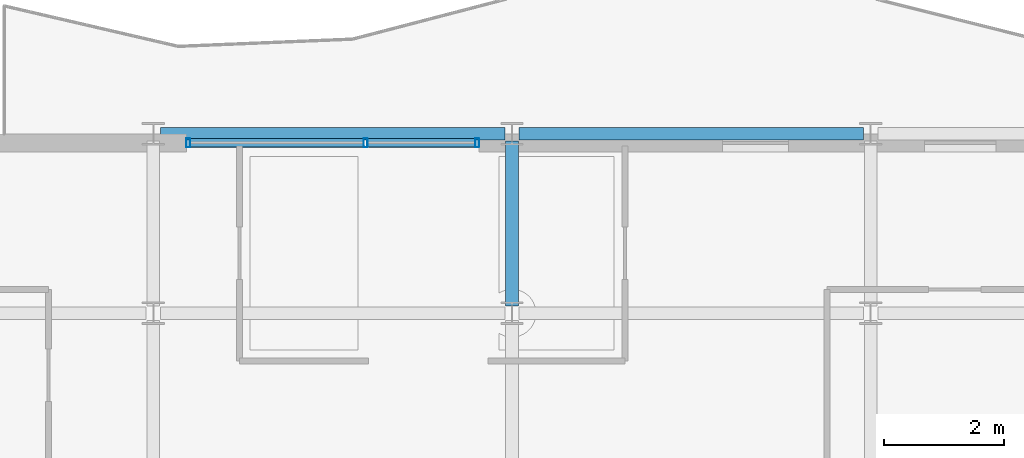
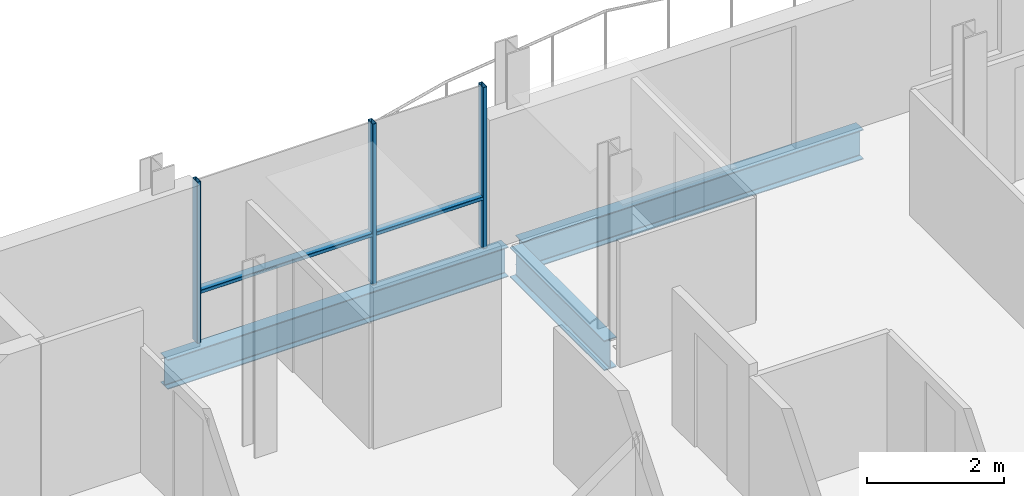
# One storey, part 8 of 30: 5 members, 3 beams, 1 element without a shape of its own.
"""IFC4 building model written with IfcOpenShell, lengths in metres."""

from ifc_helpers import new_model, si_unit, direction, frame, origin, origin_2d, place, context, subcontext, project, spatial, hollow_rectangle, i_section, extrude, material, layer, layer_set, material_profile, profile_set, type_object, element, aggregate, save


model = new_model("IFC4")

# Units and contexts
model_context = context("Model", 3, precision=1e-05, world=origin(), true_north=direction((0.0, 1.0)))
body_context = subcontext(model_context, "Body", "Model", "MODEL_VIEW")
ifc_project = project(units=[si_unit("LENGTHUNIT", "METRE"), si_unit("AREAUNIT", "SQUARE_METRE"), si_unit("VOLUMEUNIT", "CUBIC_METRE"), si_unit("PLANEANGLEUNIT", "RADIAN"), si_unit("MASSUNIT", "GRAM", prefix="KILO")], contexts=[model_context])

# Site, building, storey
site_placement = place(None, origin())
site = spatial("IfcSite", under=ifc_project, at=site_placement, CompositionType="ELEMENT")
building_placement = place(site_placement, origin())
building = spatial("IfcBuilding", under=site, at=building_placement, Name="Brevholm Reach", CompositionType="ELEMENT")
storey_placement = place(building_placement, frame((0.0, 0.0, 211.10009765625)))
storey = spatial("IfcBuildingStorey", under=building, at=storey_placement, Name="L64", CompositionType="ELEMENT", Elevation=211.10009765625)

# Beams
ifc_material_1 = material(Name="Structural Steel S355J2", Category="steel")
ifc_material_profile_1 = material_profile(ifc_material_1, i_section(OverallWidth=0.209228515625, OverallDepth=0.533203125, WebThickness=0.010009765625, FlangeThickness=0.015625, FilletRadius=0.0126953125, at=origin_2d()), Name="UKB 533x210x92")
ifc_profile_set_1 = profile_set([ifc_material_profile_1], Name="Structural Steel S355J2")
beam_type_1 = type_object("IfcBeamType", Name="BM-SP533", PredefinedType="SPANDREL", material=ifc_profile_set_1)
for number, where, z_axis, x_axis, name in (
    (1, (6.1201171875, 26.5, -0.4765625), (1.0, 0.0, 0.0), (0.0, 1.0, 0.0), "L64 SP-02 Framing Beam"),
    (2, (12.1201171875, 26.5, -0.4765625), (1.0, 0.0, 0.0), (0.0, 1.0, 0.0), "L64 SP-02 Framing Beam"),
):
    element("IfcBeam", number, at=place(storey_placement, frame(where, z_axis=z_axis, x_axis=x_axis)), inside=storey, type_object=beam_type_1, Name=name, PredefinedType="SPANDREL", context=body_context, shape_type="SweptSolid", body=[
        extrude(i_section(OverallWidth=0.209228515625, OverallDepth=0.533203125, WebThickness=0.010009765625, FlangeThickness=0.015625, FilletRadius=0.0126953125, at=origin_2d()), origin(), (0.0, 0.0, 1.0), 5.759765625),
    ])
ifc_material_2 = material(Name="Structural Steel S355J2", Category="steel")
ifc_material_profile_2 = material_profile(ifc_material_2, i_section(OverallWidth=0.210693359375, OverallDepth=0.53955078125, WebThickness=0.01171875, FlangeThickness=0.018798828125, FilletRadius=0.0126953125, at=origin_2d()), Name="UKB 533x210x109")
ifc_profile_set_2 = profile_set([ifc_material_profile_2], Name="Structural Steel S355J2")
beam_type_2 = type_object("IfcBeamType", Name="BM-SP539", PredefinedType="SPANDREL", material=ifc_profile_set_2)
beam_placement = place(storey_placement, frame((12.0, 23.6201171875, -0.479736328125), z_axis=(0.0, 1.0, 0.0), x_axis=(-1.0, 0.0, 0.0)))
element("IfcBeam", 3, at=beam_placement, inside=storey, type_object=beam_type_2, Name="L64 SP-01B Framing Beam", PredefinedType="SPANDREL", context=body_context, shape_type="SweptSolid", body=[
    extrude(i_section(OverallWidth=0.210693359375, OverallDepth=0.53955078125, WebThickness=0.01171875, FlangeThickness=0.018798828125, FilletRadius=0.0126953125, at=origin_2d()), origin(), (0.0, 0.0, 1.0), 2.759765625),
])

# Curtain wall, members
ifc_material_3 = material(Name="Dark Anodised Aluminium 6063-T6 and Solar-Control Glass", Category="aluminium")
ifc_layer = layer(ifc_material_3, 0.14990234375)
ifc_layer_set = layer_set([ifc_layer], Name="Dark Anodised Aluminium 6063-T6 and Solar-Control Glass")
curtain_wall_type = type_object("IfcCurtainWallType", Name="CW-01", PredefinedType="NOTDEFINED", material=ifc_layer_set)
curtain_wall_placement = place(storey_placement, origin())
curtain_wall = element("IfcCurtainWall", 4, at=curtain_wall_placement, inside=storey, type_object=curtain_wall_type, Name="L64 Curtain Wall CW-01", PredefinedType="NOTDEFINED")
ifc_material_4 = material(Name="Dark Anodised Aluminium 6063-T6", Category="aluminium")
ifc_material_profile_3 = material_profile(ifc_material_4, hollow_rectangle(XDim=0.06494140625, YDim=0.14990234375, WallThickness=0.0048828125, InnerFilletRadius=0.0048828125, OuterFilletRadius=0.010009765625, at=origin_2d()), Name="RHS 150x65x5")
ifc_profile_set_3 = profile_set([ifc_material_profile_3], Name="Dark Anodised Aluminium 6063-T6")
member_type_1 = type_object("IfcMemberType", Name="CWM-150", PredefinedType="MULLION", material=ifc_profile_set_3)
member_1_placement = place(storey_placement, frame((6.58251953125, 26.35009765625, 0.0), z_axis=(0.0, 0.0, 1.0), x_axis=(1.0, 0.0, 0.0)))
member_1 = element("IfcMember", 5, at=member_1_placement, type_object=member_type_1, Name="CM-150 Mullion 1", PredefinedType="MULLION", context=body_context, shape_type="SweptSolid", body=[
    extrude(hollow_rectangle(XDim=0.06494140625, YDim=0.14990234375, WallThickness=0.0048828125, InnerFilletRadius=0.0048828125, OuterFilletRadius=0.010009765625, at=origin_2d()), origin(), (0.0, 0.0, 1.0), 2.8798828125),
])
member_2_placement = place(storey_placement, frame((9.550048828125, 26.35009765625, 0.0), z_axis=(0.0, 0.0, 1.0), x_axis=(1.0, 0.0, 0.0)))
member_2 = element("IfcMember", 6, at=member_2_placement, type_object=member_type_1, Name="CM-150 Mullion 2", PredefinedType="MULLION", context=body_context, shape_type="SweptSolid", body=[
    extrude(hollow_rectangle(XDim=0.06494140625, YDim=0.14990234375, WallThickness=0.0048828125, InnerFilletRadius=0.0048828125, OuterFilletRadius=0.010009765625, at=origin_2d()), origin(), (0.0, 0.0, 1.0), 2.8798828125),
])
member_3_placement = place(storey_placement, frame((11.41748046875, 26.35009765625, 0.0), z_axis=(0.0, 0.0, 1.0), x_axis=(1.0, 0.0, 0.0)))
member_3 = element("IfcMember", 7, at=member_3_placement, type_object=member_type_1, Name="CM-150 Mullion 3", PredefinedType="MULLION", context=body_context, shape_type="SweptSolid", body=[
    extrude(hollow_rectangle(XDim=0.06494140625, YDim=0.14990234375, WallThickness=0.0048828125, InnerFilletRadius=0.0048828125, OuterFilletRadius=0.010009765625, at=origin_2d()), origin(), (0.0, 0.0, 1.0), 2.8798828125),
])
ifc_material_5 = material(Name="Dark Anodised Aluminium 6063-T6", Category="aluminium")
ifc_material_profile_4 = material_profile(ifc_material_5, hollow_rectangle(XDim=0.06494140625, YDim=0.14990234375, WallThickness=0.0048828125, InnerFilletRadius=0.0048828125, OuterFilletRadius=0.010009765625, at=origin_2d()), Name="RHS 150x65x5")
ifc_profile_set_4 = profile_set([ifc_material_profile_4], Name="Dark Anodised Aluminium 6063-T6")
member_type_2 = type_object("IfcMemberType", Name="CWT-150", PredefinedType="NOTDEFINED", material=ifc_profile_set_4)
member_4_placement = place(storey_placement, frame((6.614990234375, 26.35009765625, 0.89990234375), z_axis=(1.0, 0.0, 0.0), x_axis=(0.0, 0.0, 1.0)))
member_4 = element("IfcMember", 8, at=member_4_placement, type_object=member_type_2, Name="CT-150 Transom 1.1", ObjectType="TRANSOM", PredefinedType="USERDEFINED", context=body_context, shape_type="SweptSolid", body=[
    extrude(hollow_rectangle(XDim=0.06494140625, YDim=0.14990234375, WallThickness=0.0048828125, InnerFilletRadius=0.0048828125, OuterFilletRadius=0.010009765625, at=origin_2d()), origin(), (0.0, 0.0, 1.0), 2.902587890625),
])
member_5_placement = place(storey_placement, frame((9.58251953125, 26.35009765625, 0.89990234375), z_axis=(1.0, 0.0, 0.0), x_axis=(0.0, 0.0, 1.0)))
member_5 = element("IfcMember", 9, at=member_5_placement, type_object=member_type_2, Name="CT-150 Transom 2.1", ObjectType="TRANSOM", PredefinedType="USERDEFINED", context=body_context, shape_type="SweptSolid", body=[
    extrude(hollow_rectangle(XDim=0.06494140625, YDim=0.14990234375, WallThickness=0.0048828125, InnerFilletRadius=0.0048828125, OuterFilletRadius=0.010009765625, at=origin_2d()), origin(), (0.0, 0.0, 1.0), 1.802490234375),
])
aggregate(curtain_wall, [member_1, member_2, member_3, member_4, member_5])

save(model, "model.ifc")
